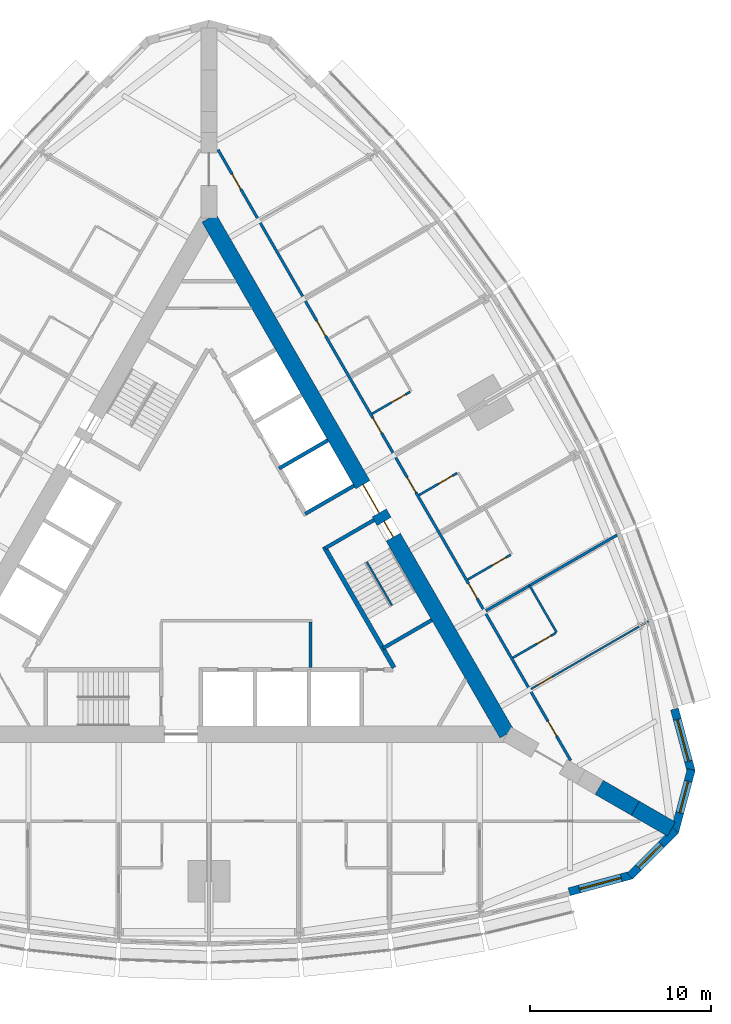
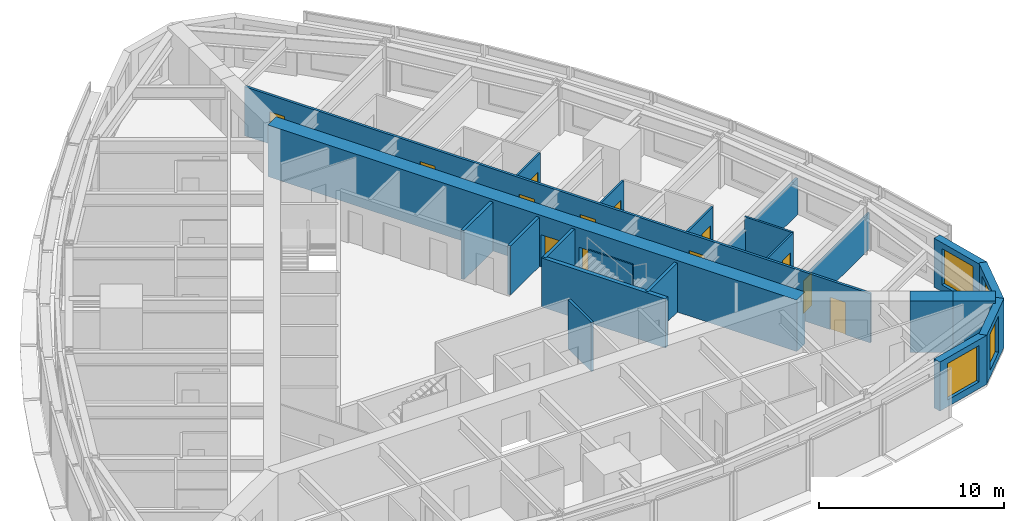
# One storey, part 11 of 14: 22 walls, 13 doors, 4 windows, 17 openings.
"""IFC4 building model written with IfcOpenShell, lengths in metres."""

from ifc_helpers import new_model, si_unit, direction, frame, frame_2d, origin, place, context, subcontext, project, spatial, polyline, rectangle, outline, extrude, material, layer, layer_set, type_object, element, fill, save


model = new_model("IFC4")

# Units and contexts
model_context = context("Model", 3, precision=1e-05, world=origin(), true_north=direction((0.0, 1.0)))
body_context = subcontext(model_context, "Body", "Model", "MODEL_VIEW")
ifc_project = project(units=[si_unit("LENGTHUNIT", "METRE"), si_unit("AREAUNIT", "SQUARE_METRE"), si_unit("VOLUMEUNIT", "CUBIC_METRE"), si_unit("PLANEANGLEUNIT", "RADIAN"), si_unit("MASSUNIT", "GRAM", prefix="KILO")], contexts=[model_context])

# Site, building, storey
site_placement = place(None, origin())
site = spatial("IfcSite", under=ifc_project, at=site_placement, CompositionType="ELEMENT")
building_placement = place(site_placement, origin())
building = spatial("IfcBuilding", under=site, at=building_placement, Name="Trikona Tower", CompositionType="ELEMENT")
storey_placement = place(building_placement, frame((0.0, 0.0, 138.5)))
storey = spatial("IfcBuildingStorey", under=building, at=storey_placement, Name="L36", CompositionType="ELEMENT", Elevation=138.5)

# Wall
ifc_material_1 = material(Name="Metal stud and cement board", Category="gypsum")
ifc_layer_1 = layer(ifc_material_1, 0.1201171875)
ifc_layer_set_1 = layer_set([ifc_layer_1], Name="Bathroom wall 120")
wall_type_1 = type_object("IfcWallType", Name="Bathroom wall 120", PredefinedType="PLUMBINGWALL", material=ifc_layer_set_1)
wall_1_placement = place(storey_placement, frame((19.25341796875, -3.895263671875, 0.0), z_axis=(0.0, 0.0, 1.0), x_axis=(-0.499990139034, 0.866031096941, 0.0)))
element("IfcWall", 1, at=wall_1_placement, inside=storey, type_object=wall_type_1, Name="Bathroom wall 3605.1", PredefinedType="PLUMBINGWALL", context=body_context, shape_type="SweptSolid", body=[
    extrude(rectangle(XDim=3.0, YDim=0.1201171875, at=frame_2d((1.5, 0.0))), origin(), (0.0, 0.0, 1.0), 3.235107421875),
])

# Wall, opening, door
wall_2_placement = place(storey_placement, frame((16.82861328125, -5.295166015625, 0.0), z_axis=(0.0, 0.0, 1.0), x_axis=(0.866035715982, 0.499982138324, 0.0)))
wall_2 = element("IfcWall", 2, at=wall_2_placement, inside=storey, type_object=wall_type_1, Name="Bathroom wall 3605.1", PredefinedType="PLUMBINGWALL", context=body_context, shape_type="SweptSolid", body=[
    extrude(rectangle(XDim=2.73974609375, YDim=0.1201171875, at=frame_2d((1.369873046875, 0.0))), origin(), (0.0, 0.0, 1.0), 3.235107421875),
])
opening_1_placement = place(wall_2_placement, frame((1.550048828125, 0.0, 0.0)))
opening_1 = element("IfcOpeningElement", 3, at=opening_1_placement, cuts=wall_2, Name="Opening D2", PredefinedType="OPENING", context=body_context, shape_type="SweptSolid", body=[
    extrude(rectangle(XDim=0.89990234375, YDim=2.1298828125, at=frame_2d((0.449951171875, 1.06494140625))), frame((0.0, 0.070068359375, 0.0), z_axis=(0.0, -1.0, 0.0), x_axis=(1.0, 0.0, 0.0)), (0.0, 0.0, 1.0), 0.14013671875),
])
ifc_material_2 = material(Name="Steel door frame with solid-core timber leaf", Category="steel")
door_type_1 = type_object("IfcDoorType", Name="Bathroom door 900x2130", OperationType="SLIDING_TO_LEFT", PredefinedType="DOOR", material=ifc_material_2)
door_1_placement = place(opening_1_placement, origin())
door_1 = element("IfcDoor", 4, at=door_1_placement, inside=storey, type_object=door_type_1, Name="Bathroom door 3605.1", OperationType="SLIDING_TO_LEFT", OverallHeight=2.1298828125, OverallWidth=0.89990234375, PredefinedType="DOOR", context=body_context, shape_type="SweptSolid", body=[
    extrude(rectangle(XDim=0.89990234375, YDim=2.1298828125, at=frame_2d((0.449951171875, 1.06494140625))), frame((0.0, 0.02490234375, 0.0), z_axis=(0.0, -1.0, 0.0), x_axis=(1.0, 0.0, 0.0)), (0.0, 0.0, 1.0), 0.050048828125),
])
fill(opening_1, door_1)

wall_3_placement = place(storey_placement, frame((14.32861328125, -0.965087890625, 0.0), z_axis=(0.0, 0.0, 1.0), x_axis=(0.866035715982, 0.499982138324, 0.0)))
wall_3 = element("IfcWall", 5, at=wall_3_placement, inside=storey, type_object=wall_type_1, Name="Bathroom wall 3606", PredefinedType="PLUMBINGWALL", context=body_context, shape_type="SweptSolid", body=[
    extrude(rectangle(XDim=2.73974609375, YDim=0.1201171875, at=frame_2d((1.369873046875, 0.0))), origin(), (0.0, 0.0, 1.0), 3.235107421875),
])
opening_2_placement = place(wall_3_placement, frame((1.550048828125, 0.0, 0.0)))
opening_2 = element("IfcOpeningElement", 6, at=opening_2_placement, cuts=wall_3, Name="Opening D2", PredefinedType="OPENING", context=body_context, shape_type="SweptSolid", body=[
    extrude(rectangle(XDim=0.89990234375, YDim=2.1298828125, at=frame_2d((0.449951171875, 1.06494140625))), frame((0.0, 0.070068359375, 0.0), z_axis=(0.0, -1.0, 0.0), x_axis=(1.0, 0.0, 0.0)), (0.0, 0.0, 1.0), 0.14013671875),
])
door_2_placement = place(opening_2_placement, origin())
door_2 = element("IfcDoor", 7, at=door_2_placement, inside=storey, type_object=door_type_1, Name="Bathroom door 3606", OperationType="SLIDING_TO_LEFT", OverallHeight=2.1298828125, OverallWidth=0.89990234375, PredefinedType="DOOR", context=body_context, shape_type="SweptSolid", body=[
    extrude(rectangle(XDim=0.89990234375, YDim=2.1298828125, at=frame_2d((0.449951171875, 1.06494140625))), frame((0.0, 0.02490234375, 0.0), z_axis=(0.0, -1.0, 0.0), x_axis=(1.0, 0.0, 0.0)), (0.0, 0.0, 1.0), 0.050048828125),
])
fill(opening_2, door_2)

wall_4_placement = place(storey_placement, frame((11.62841796875, 3.71142578125, 0.0), z_axis=(0.0, 0.0, 1.0), x_axis=(0.866048967903, 0.499959183527, 0.0)))
wall_4 = element("IfcWall", 8, at=wall_4_placement, inside=storey, type_object=wall_type_1, Name="Bathroom wall 3607", PredefinedType="PLUMBINGWALL", context=body_context, shape_type="SweptSolid", body=[
    extrude(rectangle(XDim=2.440185546875, YDim=0.1201171875, at=frame_2d((1.22021484375, 0.0))), origin(), (0.0, 0.0, 1.0), 3.235107421875),
])
opening_3_placement = place(wall_4_placement, frame((1.25, 0.0, 0.0)))
opening_3 = element("IfcOpeningElement", 9, at=opening_3_placement, cuts=wall_4, Name="Opening D2", PredefinedType="OPENING", context=body_context, shape_type="SweptSolid", body=[
    extrude(rectangle(XDim=0.89990234375, YDim=2.1298828125, at=frame_2d((0.449951171875, 1.06494140625))), frame((0.0, 0.070068359375, 0.0), z_axis=(0.0, -1.0, 0.0), x_axis=(1.0, 0.0, 0.0)), (0.0, 0.0, 1.0), 0.14013671875),
])
door_3_placement = place(opening_3_placement, origin())
door_3 = element("IfcDoor", 10, at=door_3_placement, inside=storey, type_object=door_type_1, Name="Bathroom door 3607", OperationType="SLIDING_TO_LEFT", OverallHeight=2.1298828125, OverallWidth=0.89990234375, PredefinedType="DOOR", context=body_context, shape_type="SweptSolid", body=[
    extrude(rectangle(XDim=0.89990234375, YDim=2.1298828125, at=frame_2d((0.449951171875, 1.06494140625))), frame((0.0, 0.02490234375, 0.0), z_axis=(0.0, -1.0, 0.0), x_axis=(1.0, 0.0, 0.0)), (0.0, 0.0, 1.0), 0.050048828125),
])
fill(opening_3, door_3)

wall_5_placement = place(storey_placement, frame((9.028564453125, 8.21484375, 0.0), z_axis=(0.0, 0.0, 1.0), x_axis=(0.866023955769, 0.500002508028, 0.0)))
wall_5 = element("IfcWall", 11, at=wall_5_placement, inside=storey, type_object=wall_type_1, Name="Bathroom wall 3608", PredefinedType="PLUMBINGWALL", context=body_context, shape_type="SweptSolid", body=[
    extrude(rectangle(XDim=2.43994140625, YDim=0.1201171875, at=frame_2d((1.219970703125, 0.0))), origin(), (0.0, 0.0, 1.0), 3.235107421875),
])
opening_4_placement = place(wall_5_placement, frame((1.25, 0.0, 0.0)))
opening_4 = element("IfcOpeningElement", 12, at=opening_4_placement, cuts=wall_5, Name="Opening D2", PredefinedType="OPENING", context=body_context, shape_type="SweptSolid", body=[
    extrude(rectangle(XDim=0.89990234375, YDim=2.1298828125, at=frame_2d((0.449951171875, 1.06494140625))), frame((0.0, 0.070068359375, 0.0), z_axis=(0.0, -1.0, 0.0), x_axis=(1.0, 0.0, 0.0)), (0.0, 0.0, 1.0), 0.14013671875),
])
door_4_placement = place(opening_4_placement, origin())
door_4 = element("IfcDoor", 13, at=door_4_placement, inside=storey, type_object=door_type_1, Name="Bathroom door 3608", OperationType="SLIDING_TO_LEFT", OverallHeight=2.1298828125, OverallWidth=0.89990234375, PredefinedType="DOOR", context=body_context, shape_type="SweptSolid", body=[
    extrude(rectangle(XDim=0.89990234375, YDim=2.1298828125, at=frame_2d((0.449951171875, 1.06494140625))), frame((0.0, 0.02490234375, 0.0), z_axis=(0.0, -1.0, 0.0), x_axis=(1.0, 0.0, 0.0)), (0.0, 0.0, 1.0), 0.050048828125),
])
fill(opening_4, door_4)

# Wall, opening, window
ifc_material_3 = material(Name="Brick-faced precast concrete", Category="masonry")
ifc_layer_2 = layer(ifc_material_3, 0.449951171875)
ifc_layer_set_2 = layer_set([ifc_layer_2], Name="Brick-faced corner wall 450")
wall_type_2 = type_object("IfcWallType", Name="Brick-faced corner wall 450", PredefinedType="SOLIDWALL", material=ifc_layer_set_2)
wall_6_placement = place(storey_placement, frame((19.94189453125, -18.2578125, 0.0), z_axis=(0.0, 0.0, 1.0), x_axis=(0.965924653531, 0.258823421857, 0.0)))
wall_6 = element("IfcWall", 14, at=wall_6_placement, inside=storey, type_object=wall_type_2, Name="External wall L36-08", PredefinedType="SOLIDWALL", context=body_context, shape_type="SweptSolid", body=[
    extrude(rectangle(XDim=3.58642578125, YDim=0.449951171875, at=frame_2d((1.793212890625, 0.0))), origin(), (0.0, 0.0, 1.0), 3.235107421875),
])
opening_5_placement = place(wall_6_placement, frame((0.593017578125, 0.0, 0.449951171875)))
opening_5 = element("IfcOpeningElement", 15, at=opening_5_placement, cuts=wall_6, Name="Opening W2424", PredefinedType="OPENING", context=body_context, shape_type="SweptSolid", body=[
    extrude(rectangle(XDim=2.39990234375, YDim=2.39990234375, at=frame_2d((1.199951171875, 1.199951171875))), frame((0.0, 0.23486328125, 0.0), z_axis=(0.0, -1.0, 0.0), x_axis=(1.0, 0.0, 0.0)), (0.0, 0.0, 1.0), 0.469970703125),
])
ifc_material_4 = material(Name="Aluminium-framed double glazing", Category="aluminium")
window_type_1 = type_object("IfcWindowType", Name="Window 2400x2400", PartitioningType="SINGLE_PANEL", PredefinedType="WINDOW", material=ifc_material_4)
window_1_placement = place(opening_5_placement, origin())
window_1 = element("IfcWindow", 16, at=window_1_placement, inside=storey, type_object=window_type_1, Name="Window 3604", OverallHeight=2.39990234375, OverallWidth=2.39990234375, PartitioningType="SINGLE_PANEL", PredefinedType="WINDOW", context=body_context, shape_type="SweptSolid", body=[
    extrude(rectangle(XDim=2.39990234375, YDim=2.39990234375, at=frame_2d((1.199951171875, 1.199951171875))), frame((0.0, 0.030029296875, 0.0), z_axis=(0.0, -1.0, 0.0), x_axis=(1.0, 0.0, 0.0)), (0.0, 0.0, 1.0), 0.06005859375),
])
fill(opening_5, window_1)

wall_7_placement = place(storey_placement, frame((23.304931640625, -17.387939453125, 0.0), z_axis=(0.0, 0.0, 1.0), x_axis=(0.707106781187, 0.707106781187, 0.0)))
wall_7 = element("IfcWall", 17, at=wall_7_placement, inside=storey, type_object=wall_type_2, Name="External wall L36-09", PredefinedType="SOLIDWALL", context=body_context, shape_type="SweptSolid", body=[
    extrude(outline(polyline([(3.586181640625, 0.22509765625), (3.527099609375, 0.22509765625), (3.03515625, 0.09326171875), (3.0, 0.22509765625), (0.0, 0.22509765625), (0.0, -0.22509765625), (3.586181640625, -0.22509765625), (3.586181640625, 0.22509765625)])), origin(), (0.0, 0.0, 1.0), 3.235107421875),
])
opening_6_placement = place(wall_7_placement, frame((0.6748046875, 0.0, 0.449951171875)))
opening_6 = element("IfcOpeningElement", 18, at=opening_6_placement, cuts=wall_7, Name="Opening W1824", PredefinedType="OPENING", context=body_context, shape_type="SweptSolid", body=[
    extrude(rectangle(XDim=1.800048828125, YDim=2.39990234375, at=frame_2d((0.89990234375, 1.199951171875))), frame((0.0, 0.23486328125, 0.0), z_axis=(0.0, -1.0, 0.0), x_axis=(1.0, 0.0, 0.0)), (0.0, 0.0, 1.0), 0.469970703125),
])
ifc_material_5 = material(Name="Aluminium-framed double glazing", Category="aluminium")
window_type_2 = type_object("IfcWindowType", Name="Window 1800x2400", PartitioningType="SINGLE_PANEL", PredefinedType="WINDOW", material=ifc_material_5)
window_2_placement = place(opening_6_placement, origin())
window_2 = element("IfcWindow", 19, at=window_2_placement, inside=storey, type_object=window_type_2, Name="Window 3604", OverallHeight=2.39990234375, OverallWidth=1.800048828125, PartitioningType="SINGLE_PANEL", PredefinedType="WINDOW", context=body_context, shape_type="SweptSolid", body=[
    extrude(rectangle(XDim=1.800048828125, YDim=2.39990234375, at=frame_2d((0.89990234375, 1.199951171875))), frame((0.0, 0.030029296875, 0.0), z_axis=(0.0, -1.0, 0.0), x_axis=(1.0, 0.0, 0.0)), (0.0, 0.0, 1.0), 0.06005859375),
])
fill(opening_6, window_2)

wall_8_placement = place(storey_placement, frame((25.78271484375, -14.952880859375, 0.0), z_axis=(0.0, 0.0, 1.0), x_axis=(0.258823421857, 0.965924653531, 0.0)))
wall_8 = element("IfcWall", 20, at=wall_8_placement, inside=storey, type_object=wall_type_2, Name="External wall L36-10", PredefinedType="SOLIDWALL", context=body_context, shape_type="SweptSolid", body=[
    extrude(outline(polyline([(3.58642578125, 0.22509765625), (0.58642578125, 0.22509765625), (0.551025390625, 0.09326171875), (0.0595703125, 0.22509765625), (0.0, 0.22509765625), (0.0, -0.22509765625), (3.58642578125, -0.22509765625), (3.58642578125, 0.22509765625)])), origin(), (0.0, 0.0, 1.0), 3.235107421875),
])
opening_7_placement = place(wall_8_placement, frame((1.111328125, 0.0, 0.449951171875)))
opening_7 = element("IfcOpeningElement", 21, at=opening_7_placement, cuts=wall_8, Name="Opening W1824", PredefinedType="OPENING", context=body_context, shape_type="SweptSolid", body=[
    extrude(rectangle(XDim=1.800048828125, YDim=2.39990234375, at=frame_2d((0.89990234375, 1.199951171875))), frame((0.0, 0.23486328125, 0.0), z_axis=(0.0, -1.0, 0.0), x_axis=(1.0, 0.0, 0.0)), (0.0, 0.0, 1.0), 0.469970703125),
])
window_3_placement = place(opening_7_placement, origin())
window_3 = element("IfcWindow", 22, at=window_3_placement, inside=storey, type_object=window_type_2, Name="Window 3605", OverallHeight=2.39990234375, OverallWidth=1.800048828125, PartitioningType="SINGLE_PANEL", PredefinedType="WINDOW", context=body_context, shape_type="SweptSolid", body=[
    extrude(rectangle(XDim=1.800048828125, YDim=2.39990234375, at=frame_2d((0.89990234375, 1.199951171875))), frame((0.0, 0.030029296875, 0.0), z_axis=(0.0, -1.0, 0.0), x_axis=(1.0, 0.0, 0.0)), (0.0, 0.0, 1.0), 0.06005859375),
])
fill(opening_7, window_3)

wall_9_placement = place(storey_placement, frame((26.7109375, -11.605224609375, 0.0), z_axis=(0.0, 0.0, 1.0), x_axis=(-0.258823421857, 0.965924653531, 0.0)))
wall_9 = element("IfcWall", 23, at=wall_9_placement, inside=storey, type_object=wall_type_2, Name="External wall L36-11", PredefinedType="SOLIDWALL", context=body_context, shape_type="SweptSolid", body=[
    extrude(rectangle(XDim=3.58642578125, YDim=0.449951171875, at=frame_2d((1.793212890625, 0.0))), origin(), (0.0, 0.0, 1.0), 3.235107421875),
])
opening_8_placement = place(wall_9_placement, frame((0.593017578125, 0.0, 0.449951171875)))
opening_8 = element("IfcOpeningElement", 24, at=opening_8_placement, cuts=wall_9, Name="Opening W2424", PredefinedType="OPENING", context=body_context, shape_type="SweptSolid", body=[
    extrude(rectangle(XDim=2.39990234375, YDim=2.39990234375, at=frame_2d((1.199951171875, 1.199951171875))), frame((0.0, 0.23486328125, 0.0), z_axis=(0.0, -1.0, 0.0), x_axis=(1.0, 0.0, 0.0)), (0.0, 0.0, 1.0), 0.469970703125),
])
window_4_placement = place(opening_8_placement, origin())
window_4 = element("IfcWindow", 25, at=window_4_placement, inside=storey, type_object=window_type_1, Name="Window 3605", OverallHeight=2.39990234375, OverallWidth=2.39990234375, PartitioningType="SINGLE_PANEL", PredefinedType="WINDOW", context=body_context, shape_type="SweptSolid", body=[
    extrude(rectangle(XDim=2.39990234375, YDim=2.39990234375, at=frame_2d((1.199951171875, 1.199951171875))), frame((0.0, 0.030029296875, 0.0), z_axis=(0.0, -1.0, 0.0), x_axis=(1.0, 0.0, 0.0)), (0.0, 0.0, 1.0), 0.06005859375),
])
fill(opening_8, window_4)

# Walls
ifc_material_6 = material(Name="Concrete f'c 10000 psi", Category="concrete")
ifc_layer_3 = layer(ifc_material_6, 0.89990234375)
ifc_layer_set_3 = layer_set([ifc_layer_3], Name="Buttress wall 900")
wall_type_3 = type_object("IfcWallType", Name="Buttress wall 900", PredefinedType="SHEAR", material=ifc_layer_set_3)
for number, where, z_axis, x_axis, name in (
    (26, (21.6103515625, -12.476806640625, 0.0), (0.0, 0.0, 1.0), (0.866055313784, -0.499948190782, 0.0), "Buttress wall 1 part 3"),
    (27, (23.6103515625, -13.63134765625, 0.0), (0.0, 0.0, 1.0), (0.866009537788, -0.500027479704, 0.0), "Buttress wall 1 part 4"),
):
    element("IfcWall", number, at=place(storey_placement, frame(where, z_axis=z_axis, x_axis=x_axis)), inside=storey, type_object=wall_type_3, Name=name, PredefinedType="SHEAR", context=body_context, shape_type="SweptSolid", body=[
        extrude(rectangle(XDim=2.309326171875, YDim=0.89990234375, at=frame_2d((1.15478515625, 0.0))), origin(), (0.0, 0.0, 1.0), 3.39990234375),
    ])

# Wall, openings, doors
ifc_material_7 = material(Name="Concrete f'c 10000 psi", Category="concrete")
ifc_layer_4 = layer(ifc_material_7, 0.89990234375)
ifc_layer_set_4 = layer_set([ifc_layer_4], Name="Core wall 900")
wall_type_4 = type_object("IfcWallType", Name="Core wall 900", PredefinedType="SHEAR", material=ifc_layer_set_4)
wall_10_placement = place(storey_placement, frame((16.5, -9.5263671875, 0.0), z_axis=(0.0, 0.0, 1.0), x_axis=(-0.499999749417, 0.866025548458, 0.0)))
wall_10 = element("IfcWall", 28, at=wall_10_placement, inside=storey, type_object=wall_type_4, Name="Core wall B", PredefinedType="SHEAR", context=body_context, shape_type="SweptSolid", body=[
    extrude(rectangle(XDim=33.0, YDim=0.89990234375, at=frame_2d((16.5, 0.0))), origin(), (0.0, 0.0, 1.0), 3.39990234375),
])
opening_9_placement = place(wall_10_placement, frame((14.14990234375, 0.0, 0.0)))
opening_9 = element("IfcOpeningElement", 29, at=opening_9_placement, cuts=wall_10, Name="Opening D6", PredefinedType="OPENING", context=body_context, shape_type="SweptSolid", body=[
    extrude(rectangle(XDim=1.800048828125, YDim=2.1298828125, at=frame_2d((0.89990234375, 1.06494140625))), frame((0.0, 0.4599609375, 0.0), z_axis=(0.0, -1.0, 0.0), x_axis=(1.0, 0.0, 0.0)), (0.0, 0.0, 1.0), 0.919921875),
])
opening_10_placement = place(wall_10_placement, frame((12.60009765625, 0.0, 0.0)))
opening_10 = element("IfcOpeningElement", 30, at=opening_10_placement, cuts=wall_10, Name="Opening D5", PredefinedType="OPENING", context=body_context, shape_type="SweptSolid", body=[
    extrude(rectangle(XDim=1.0, YDim=2.1298828125, at=frame_2d((0.5, 1.06494140625))), frame((0.0, 0.4599609375, 0.0), z_axis=(0.0, -1.0, 0.0), x_axis=(1.0, 0.0, 0.0)), (0.0, 0.0, 1.0), 0.919921875),
])
ifc_material_8 = material(Name="Hollow metal door and frame", Category="steel")
door_type_2 = type_object("IfcDoorType", Name="Lobby door pair 1800x2130", OperationType="DOUBLE_DOOR_SINGLE_SWING", PredefinedType="DOOR", material=ifc_material_8)
door_5_placement = place(opening_9_placement, origin())
door_5 = element("IfcDoor", 31, at=door_5_placement, inside=storey, type_object=door_type_2, Name="Lift lobby door B", OperationType="DOUBLE_DOOR_SINGLE_SWING", OverallHeight=2.1298828125, OverallWidth=1.800048828125, PredefinedType="DOOR", context=body_context, shape_type="SweptSolid", body=[
    extrude(rectangle(XDim=1.800048828125, YDim=2.1298828125, at=frame_2d((0.89990234375, 1.06494140625))), frame((0.0, 0.02490234375, 0.0), z_axis=(0.0, -1.0, 0.0), x_axis=(1.0, 0.0, 0.0)), (0.0, 0.0, 1.0), 0.050048828125),
])
fill(opening_9, door_5)
ifc_material_9 = material(Name="Hollow metal door and frame", Category="steel")
door_type_3 = type_object("IfcDoorType", Name="Stair door 1000x2130", OperationType="SINGLE_SWING_LEFT", PredefinedType="DOOR", material=ifc_material_9)
door_6_placement = place(opening_10_placement, origin())
door_6 = element("IfcDoor", 32, at=door_6_placement, inside=storey, type_object=door_type_3, Name="Stair B door", OperationType="SINGLE_SWING_RIGHT", OverallHeight=2.1298828125, OverallWidth=1.0, PredefinedType="DOOR", context=body_context, shape_type="SweptSolid", body=[
    extrude(rectangle(XDim=1.0, YDim=2.1298828125, at=frame_2d((0.5, 1.06494140625))), frame((0.0, 0.02490234375, 0.0), z_axis=(0.0, -1.0, 0.0), x_axis=(1.0, 0.0, 0.0)), (0.0, 0.0, 1.0), 0.050048828125),
])
fill(opening_10, door_6)

ifc_material_10 = material(Name="Metal stud and gypsum board, 1-hour", Category="gypsum")
ifc_layer_5 = layer(ifc_material_10, 0.14990234375)
ifc_layer_set_5 = layer_set([ifc_layer_5], Name="Corridor wall 150")
wall_type_5 = type_object("IfcWallType", Name="Corridor wall 150", PredefinedType="PARTITIONING", material=ifc_layer_set_5)
wall_11_placement = place(storey_placement, frame((20.027099609375, -10.9853515625, 0.0), z_axis=(0.0, 0.0, 1.0), x_axis=(-0.500001677587, 0.866024435227, 0.0)))
wall_11 = element("IfcWall", 33, at=wall_11_placement, inside=storey, type_object=wall_type_5, Name="Corridor wall L36-2", PredefinedType="PARTITIONING", context=body_context, shape_type="SweptSolid", body=[
    extrude(rectangle(XDim=39.053955078125, YDim=0.14990234375, at=frame_2d((19.52685546875, 0.0))), origin(), (0.0, 0.0, 1.0), 3.235107421875),
])
opening_11_placement = place(wall_11_placement, frame((1.558349609375, 0.0, 0.0)))
opening_11 = element("IfcOpeningElement", 34, at=opening_11_placement, cuts=wall_11, Name="Opening D1", PredefinedType="OPENING", context=body_context, shape_type="SweptSolid", body=[
    extrude(rectangle(XDim=0.949951171875, YDim=2.1298828125, at=frame_2d((0.47509765625, 1.06494140625))), frame((0.0, 0.0849609375, 0.0), z_axis=(0.0, -1.0, 0.0), x_axis=(1.0, 0.0, 0.0)), (0.0, 0.0, 1.0), 0.169921875),
])
opening_12_placement = place(wall_11_placement, frame((10.35205078125, 0.0, 0.0)))
opening_12 = element("IfcOpeningElement", 35, at=opening_12_placement, cuts=wall_11, Name="Opening D1", PredefinedType="OPENING", context=body_context, shape_type="SweptSolid", body=[
    extrude(rectangle(XDim=0.949951171875, YDim=2.1298828125, at=frame_2d((0.47509765625, 1.06494140625))), frame((0.0, 0.0849609375, 0.0), z_axis=(0.0, -1.0, 0.0), x_axis=(1.0, 0.0, 0.0)), (0.0, 0.0, 1.0), 0.169921875),
])
opening_13_placement = place(wall_11_placement, frame((17.152099609375, 0.0, 0.0)))
opening_13 = element("IfcOpeningElement", 36, at=opening_13_placement, cuts=wall_11, Name="Opening D1", PredefinedType="OPENING", context=body_context, shape_type="SweptSolid", body=[
    extrude(rectangle(XDim=0.949951171875, YDim=2.1298828125, at=frame_2d((0.47509765625, 1.06494140625))), frame((0.0, 0.0849609375, 0.0), z_axis=(0.0, -1.0, 0.0), x_axis=(1.0, 0.0, 0.0)), (0.0, 0.0, 1.0), 0.169921875),
])
opening_14_placement = place(wall_11_placement, frame((20.951904296875, 0.0, 0.0)))
opening_14 = element("IfcOpeningElement", 37, at=opening_14_placement, cuts=wall_11, Name="Opening D1", PredefinedType="OPENING", context=body_context, shape_type="SweptSolid", body=[
    extrude(rectangle(XDim=0.949951171875, YDim=2.1298828125, at=frame_2d((0.47509765625, 1.06494140625))), frame((0.0, 0.0849609375, 0.0), z_axis=(0.0, -1.0, 0.0), x_axis=(1.0, 0.0, 0.0)), (0.0, 0.0, 1.0), 0.169921875),
])
opening_15_placement = place(wall_11_placement, frame((27.152099609375, 0.0, 0.0)))
opening_15 = element("IfcOpeningElement", 38, at=opening_15_placement, cuts=wall_11, Name="Opening D1", PredefinedType="OPENING", context=body_context, shape_type="SweptSolid", body=[
    extrude(rectangle(XDim=0.949951171875, YDim=2.1298828125, at=frame_2d((0.47509765625, 1.06494140625))), frame((0.0, 0.0849609375, 0.0), z_axis=(0.0, -1.0, 0.0), x_axis=(1.0, 0.0, 0.0)), (0.0, 0.0, 1.0), 0.169921875),
])
opening_16_placement = place(wall_11_placement, frame((36.545654296875, 0.0, 0.0)))
opening_16 = element("IfcOpeningElement", 39, at=opening_16_placement, cuts=wall_11, Name="Opening D1", PredefinedType="OPENING", context=body_context, shape_type="SweptSolid", body=[
    extrude(rectangle(XDim=0.949951171875, YDim=2.1298828125, at=frame_2d((0.47509765625, 1.06494140625))), frame((0.0, 0.0849609375, 0.0), z_axis=(0.0, -1.0, 0.0), x_axis=(1.0, 0.0, 0.0)), (0.0, 0.0, 1.0), 0.169921875),
])
ifc_material_11 = material(Name="Steel door frame with solid-core timber leaf", Category="steel")
door_type_4 = type_object("IfcDoorType", Name="Guest room door 950x2130", OperationType="SINGLE_SWING_LEFT", PredefinedType="DOOR", material=ifc_material_11)
door_7_placement = place(opening_11_placement, origin())
door_7 = element("IfcDoor", 40, at=door_7_placement, inside=storey, type_object=door_type_4, Name="Room door 3605", OperationType="SINGLE_SWING_LEFT", OverallHeight=2.1298828125, OverallWidth=0.949951171875, PredefinedType="DOOR", context=body_context, shape_type="SweptSolid", body=[
    extrude(rectangle(XDim=0.949951171875, YDim=2.1298828125, at=frame_2d((0.47509765625, 1.06494140625))), frame((0.0, 0.02490234375, 0.0), z_axis=(0.0, -1.0, 0.0), x_axis=(1.0, 0.0, 0.0)), (0.0, 0.0, 1.0), 0.050048828125),
])
fill(opening_11, door_7)
door_8_placement = place(opening_12_placement, origin())
door_8 = element("IfcDoor", 41, at=door_8_placement, inside=storey, type_object=door_type_4, Name="Room door 3606", OperationType="SINGLE_SWING_RIGHT", OverallHeight=2.1298828125, OverallWidth=0.949951171875, PredefinedType="DOOR", context=body_context, shape_type="SweptSolid", body=[
    extrude(rectangle(XDim=0.949951171875, YDim=2.1298828125, at=frame_2d((0.47509765625, 1.06494140625))), frame((0.0, 0.02490234375, 0.0), z_axis=(0.0, -1.0, 0.0), x_axis=(1.0, 0.0, 0.0)), (0.0, 0.0, 1.0), 0.050048828125),
])
fill(opening_12, door_8)
door_9_placement = place(opening_13_placement, origin())
door_9 = element("IfcDoor", 42, at=door_9_placement, inside=storey, type_object=door_type_4, Name="Room door 3607", OperationType="SINGLE_SWING_LEFT", OverallHeight=2.1298828125, OverallWidth=0.949951171875, PredefinedType="DOOR", context=body_context, shape_type="SweptSolid", body=[
    extrude(rectangle(XDim=0.949951171875, YDim=2.1298828125, at=frame_2d((0.47509765625, 1.06494140625))), frame((0.0, 0.02490234375, 0.0), z_axis=(0.0, -1.0, 0.0), x_axis=(1.0, 0.0, 0.0)), (0.0, 0.0, 1.0), 0.050048828125),
])
fill(opening_13, door_9)
door_10_placement = place(opening_14_placement, origin())
door_10 = element("IfcDoor", 43, at=door_10_placement, inside=storey, type_object=door_type_4, Name="Room door 3608", OperationType="SINGLE_SWING_RIGHT", OverallHeight=2.1298828125, OverallWidth=0.949951171875, PredefinedType="DOOR", context=body_context, shape_type="SweptSolid", body=[
    extrude(rectangle(XDim=0.949951171875, YDim=2.1298828125, at=frame_2d((0.47509765625, 1.06494140625))), frame((0.0, 0.02490234375, 0.0), z_axis=(0.0, -1.0, 0.0), x_axis=(1.0, 0.0, 0.0)), (0.0, 0.0, 1.0), 0.050048828125),
])
fill(opening_14, door_10)
door_11_placement = place(opening_15_placement, origin())
door_11 = element("IfcDoor", 44, at=door_11_placement, inside=storey, type_object=door_type_4, Name="Room door 3609", OperationType="SINGLE_SWING_LEFT", OverallHeight=2.1298828125, OverallWidth=0.949951171875, PredefinedType="DOOR", context=body_context, shape_type="SweptSolid", body=[
    extrude(rectangle(XDim=0.949951171875, YDim=2.1298828125, at=frame_2d((0.47509765625, 1.06494140625))), frame((0.0, 0.02490234375, 0.0), z_axis=(0.0, -1.0, 0.0), x_axis=(1.0, 0.0, 0.0)), (0.0, 0.0, 1.0), 0.050048828125),
])
fill(opening_15, door_11)
door_12_placement = place(opening_16_placement, origin())
door_12 = element("IfcDoor", 45, at=door_12_placement, inside=storey, type_object=door_type_4, Name="Room door 3610", OperationType="SINGLE_SWING_RIGHT", OverallHeight=2.1298828125, OverallWidth=0.949951171875, PredefinedType="DOOR", context=body_context, shape_type="SweptSolid", body=[
    extrude(rectangle(XDim=0.949951171875, YDim=2.1298828125, at=frame_2d((0.47509765625, 1.06494140625))), frame((0.0, 0.02490234375, 0.0), z_axis=(0.0, -1.0, 0.0), x_axis=(1.0, 0.0, 0.0)), (0.0, 0.0, 1.0), 0.050048828125),
])
fill(opening_16, door_12)

# Walls
ifc_material_12 = material(Name="Concrete f'c 8000 psi", Category="concrete")
ifc_layer_6 = layer(ifc_material_12, 0.25)
ifc_layer_set_6 = layer_set([ifc_layer_6], Name="Hub wall 250")
wall_type_6 = type_object("IfcWallType", Name="Hub wall 250", PredefinedType="SOLIDWALL", material=ifc_layer_set_6)
wall_12_placement = place(storey_placement, frame((10.245361328125, -5.843017578125, 0.0), z_axis=(0.0, 0.0, 1.0), x_axis=(-0.499993009313, 0.866029439822, 0.0)))
element("IfcWall", 46, at=wall_12_placement, inside=storey, type_object=wall_type_6, Name="Lift lobby wall B1", PredefinedType="SOLIDWALL", context=body_context, shape_type="SweptSolid", body=[
    extrude(rectangle(XDim=7.73291015625, YDim=0.25, at=frame_2d((3.866455078125, 0.0))), origin(), (0.0, 0.0, 1.0), 3.235107421875),
])
ifc_material_13 = material(Name="Metal stud and gypsum board, 2-hour shaft wall", Category="gypsum")
ifc_layer_7 = layer(ifc_material_13, 0.14990234375)
ifc_layer_set_7 = layer_set([ifc_layer_7], Name="Lobby wall 150")
wall_type_7 = type_object("IfcWallType", Name="Lobby wall 150", PredefinedType="PARTITIONING", material=ifc_layer_set_7)
wall_13_placement = place(storey_placement, frame((5.625, -5.826416015625, 0.0), z_axis=(0.0, 0.0, 1.0), x_axis=(0.0, 1.0, 0.0)))
element("IfcWall", 47, at=wall_13_placement, inside=storey, type_object=wall_type_7, Name="Fire service lift lobby wall 3", PredefinedType="PARTITIONING", context=body_context, shape_type="SweptSolid", body=[
    extrude(rectangle(XDim=2.5, YDim=0.14990234375, at=frame_2d((1.25, 0.0))), origin(), (0.0, 0.0, 1.0), 3.235107421875),
])
ifc_material_14 = material(Name="Metal stud and gypsum board, 1-hour acoustic", Category="gypsum")
ifc_layer_8 = layer(ifc_material_14, 0.14990234375)
ifc_layer_set_8 = layer_set([ifc_layer_8], Name="Party wall 150")
wall_type_8 = type_object("IfcWallType", Name="Party wall 150", PredefinedType="PARTITIONING", material=ifc_layer_set_8)
wall_14_placement = place(storey_placement, frame((15.32861328125, -2.697021484375, 0.0), z_axis=(0.0, 0.0, 1.0), x_axis=(0.866024316602, 0.50000188305, 0.0)))
element("IfcWall", 48, at=wall_14_placement, inside=storey, type_object=wall_type_8, Name="Partition L36 F2 u-10", PredefinedType="PARTITIONING", context=body_context, shape_type="SweptSolid", body=[
    extrude(rectangle(XDim=8.39501953125, YDim=0.14990234375, at=frame_2d((4.197509765625, 0.0))), origin(), (0.0, 0.0, 1.0), 2.38916015625),
])
ifc_material_15 = material(Name="Concrete f'c 8000 psi", Category="concrete")
ifc_layer_9 = layer(ifc_material_15, 0.199951171875)
ifc_layer_set_9 = layer_set([ifc_layer_9], Name="Shaft wall 200")
wall_type_9 = type_object("IfcWallType", Name="Shaft wall 200", PredefinedType="SOLIDWALL", material=ifc_layer_set_9)
for number, where, z_axis, x_axis, name in (
    (49, (5.3291015625, 2.672607421875, 0.0), (0.0, 0.0, 1.0), (0.866022959057, 0.500004234368, 0.0), "Shaft wall B3"),
    (50, (3.87890625, 5.18408203125, 0.0), (0.0, 0.0, 1.0), (0.866022959057, 0.500004234368, 0.0), "Shaft wall B4"),
):
    element("IfcWall", number, at=place(storey_placement, frame(where, z_axis=z_axis, x_axis=x_axis)), inside=storey, type_object=wall_type_9, Name=name, PredefinedType="SOLIDWALL", context=body_context, shape_type="SweptSolid", body=[
        extrude(rectangle(XDim=3.125, YDim=0.199951171875, at=frame_2d((1.5625, 0.0))), origin(), (0.0, 0.0, 1.0), 3.235107421875),
    ])
ifc_material_16 = material(Name="Concrete f'c 8000 psi", Category="concrete")
ifc_layer_10 = layer(ifc_material_16, 0.199951171875)
ifc_layer_set_10 = layer_set([ifc_layer_10], Name="Shaft wall 200 load-bearing")
wall_type_10 = type_object("IfcWallType", Name="Shaft wall 200 load-bearing", PredefinedType="SOLIDWALL", material=ifc_layer_set_10)
for number, where, z_axis, x_axis, name in (
    (51, (9.62890625, -4.775390625, 0.0), (0.0, 0.0, 1.0), (0.866022959057, 0.500004234368, 0.0), "Shaft wall B1"),
    (52, (6.428955078125, 0.767333984375, 0.0), (0.0, 0.0, 1.0), (0.866022959057, 0.500004234368, 0.0), "Shaft wall B2"),
):
    element("IfcWall", number, at=place(storey_placement, frame(where, z_axis=z_axis, x_axis=x_axis)), inside=storey, type_object=wall_type_10, Name=name, PredefinedType="SOLIDWALL", context=body_context, shape_type="SweptSolid", body=[
        extrude(rectangle(XDim=3.125, YDim=0.199951171875, at=frame_2d((1.5625, 0.0))), origin(), (0.0, 0.0, 1.0), 3.235107421875),
    ])
ifc_material_17 = material(Name="Concrete f'c 5000 psi", Category="concrete")
ifc_layer_11 = layer(ifc_material_17, 0.10009765625)
ifc_layer_set_11 = layer_set([ifc_layer_11], Name="Stair spine wall 100")
wall_type_11 = type_object("IfcWallType", Name="Stair spine wall 100", PredefinedType="SOLIDWALL", material=ifc_layer_set_11)
wall_15_placement = place(storey_placement, frame((10.134765625, -2.4013671875, 0.0), z_axis=(0.0, 0.0, 1.0), x_axis=(-0.499992232847, 0.866029888106, 0.0)))
element("IfcWall", 53, at=wall_15_placement, inside=storey, type_object=wall_type_11, Name="Stair B spine wall L36", PredefinedType="SOLIDWALL", context=body_context, shape_type="SweptSolid", body=[
    extrude(rectangle(XDim=2.7939453125, YDim=0.10009765625, at=frame_2d((1.39697265625, 0.0))), origin(), (0.0, 0.0, 1.0), 3.39990234375),
])

# Wall, opening, door
ifc_material_18 = material(Name="Metal stud and gypsum board, acoustic", Category="gypsum")
ifc_layer_12 = layer(ifc_material_18, 0.10009765625)
ifc_layer_set_12 = layer_set([ifc_layer_12], Name="Suite partition 100")
wall_type_12 = type_object("IfcWallType", Name="Suite partition 100", PredefinedType="PARTITIONING", material=ifc_layer_set_12)
wall_16_placement = place(storey_placement, frame((17.82861328125, -7.027099609375, 0.0), z_axis=(0.0, 0.0, 1.0), x_axis=(0.866029804378, 0.499992377871, 0.0)))
wall_16 = element("IfcWall", 54, at=wall_16_placement, inside=storey, type_object=wall_type_12, Name="Suite partition L36 F2 u-15", PredefinedType="PARTITIONING", context=body_context, shape_type="SweptSolid", body=[
    extrude(rectangle(XDim=7.51611328125, YDim=0.10009765625, at=frame_2d((3.758056640625, 0.0))), origin(), (0.0, 0.0, 1.0), 2.38916015625),
])
opening_17_placement = place(wall_16_placement, frame((0.449951171875, 0.0, 0.0)))
opening_17 = element("IfcOpeningElement", 55, at=opening_17_placement, cuts=wall_16, Name="Opening D13", PredefinedType="OPENING", context=body_context, shape_type="SweptSolid", body=[
    extrude(rectangle(XDim=0.89990234375, YDim=2.1298828125, at=frame_2d((0.449951171875, 1.06494140625))), frame((0.0, 0.06005859375, 0.0), z_axis=(0.0, -1.0, 0.0), x_axis=(1.0, 0.0, 0.0)), (0.0, 0.0, 1.0), 0.1201171875),
])
ifc_material_19 = material(Name="Steel door frame with solid-core timber leaf", Category="steel")
door_type_5 = type_object("IfcDoorType", Name="Suite door 900x2130", OperationType="SINGLE_SWING_LEFT", PredefinedType="DOOR", material=ifc_material_19)
door_13_placement = place(opening_17_placement, origin())
door_13 = element("IfcDoor", 56, at=door_13_placement, inside=storey, type_object=door_type_5, Name="Suite door 3605", OperationType="SINGLE_SWING_LEFT", OverallHeight=2.1298828125, OverallWidth=0.89990234375, PredefinedType="DOOR", context=body_context, shape_type="SweptSolid", body=[
    extrude(rectangle(XDim=0.89990234375, YDim=2.1298828125, at=frame_2d((0.449951171875, 1.06494140625))), frame((0.0, 0.02490234375, 0.0), z_axis=(0.0, -1.0, 0.0), x_axis=(1.0, 0.0, 0.0)), (0.0, 0.0, 1.0), 0.050048828125),
])
fill(opening_17, door_13)

save(model, "model.ifc")
